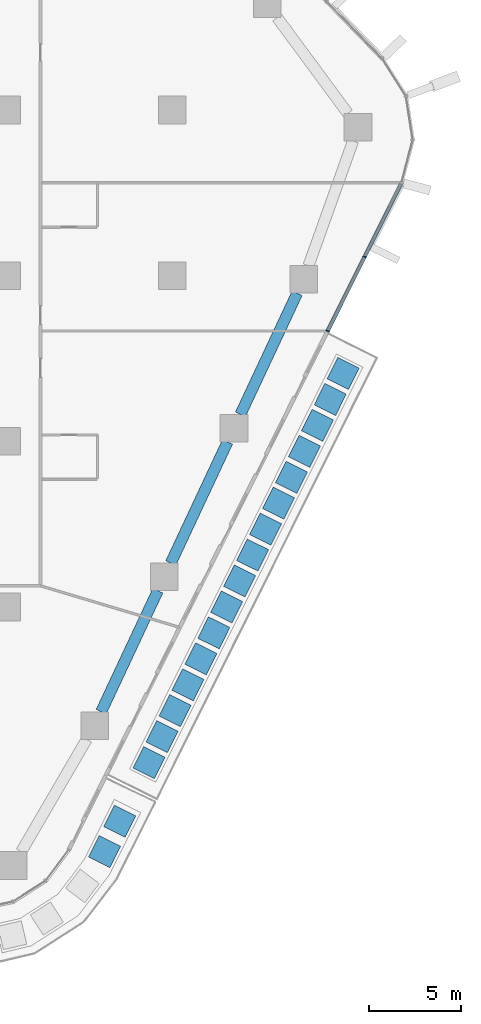
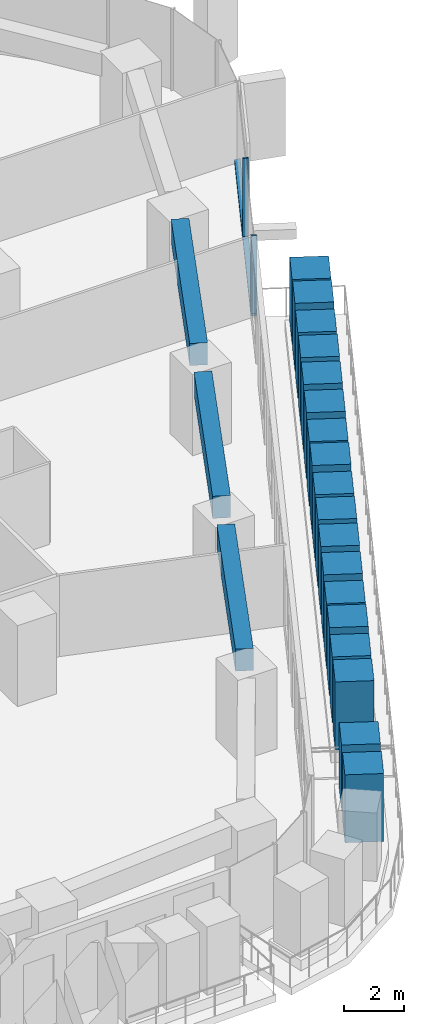
# One storey, part 7 of 26: 21 members, 3 beams, 1 element without a shape of its own.
"""IFC4 building model written with IfcOpenShell, lengths in metres."""

import ifcopenshell
import ifcopenshell.guid

model = None  # the IFC model being written
_history = None  # IfcOwnerHistory: only IFC2X3 demands one
_inside = {}  # id of a spatial element -> (the spatial element, [elements in it])
_under = {}  # id of a project, library or spatial element -> (it, [spatial elements below it])
_declared = {}  # id of a project -> (the project, [libraries it declares])
_typed = {}  # id of a type object -> (the type object, [elements of that type])
_made_of = {}  # id of a material, layer set ... -> (it, [elements and type objects made of it])


def new_model(schema):
    """Start an empty IFC model of exactly this schema.

    Asked for "IFC4X3", IfcOpenShell would pick the latest addendum, in which some entities
    have other attributes; the version numbers below select the first issue.
    IFC2X3 requires an IfcOwnerHistory on every rooted entity: one is made here for all.
    """
    global model, _history
    if schema == "IFC4X3":
        model = ifcopenshell.file(schema_version=(4, 3, 0, 0))
    else:
        model = ifcopenshell.file(schema=schema)
    _inside.clear()
    _under.clear()
    _declared.clear()
    _typed.clear()
    _made_of.clear()
    _history = None
    if model.schema == "IFC2X3":
        org = make("IfcOrganization", Name="unknown")
        user = make(
            "IfcPersonAndOrganization",
            ThePerson=make("IfcPerson", FamilyName="unknown"),
            TheOrganization=org,
        )
        app = make(
            "IfcApplication",
            ApplicationDeveloper=org,
            Version="unknown",
            ApplicationFullName="unknown",
            ApplicationIdentifier="unknown",
        )
        _history = make(
            "IfcOwnerHistory",
            OwningUser=user,
            OwningApplication=app,
            ChangeAction="ADDED",
            CreationDate=0,
        )
    return model


def make(cls, **values):
    """One entity of the class cls with the attributes given. An attribute that is None is left unset."""
    return model.create_entity(
        cls, **{name: value for name, value in values.items() if value is not None}
    )


def rooted(cls, **values):
    """An entity with a GlobalId (a new one), such as an element, a storey or a relation."""
    return make(cls, GlobalId=ifcopenshell.guid.new(), OwnerHistory=_history, **values)


def si_unit(unit_type, name, prefix=None):
    """IfcSIUnit, for example si_unit("LENGTHUNIT", "METRE", prefix="MILLI")."""
    return make("IfcSIUnit", UnitType=unit_type, Prefix=prefix, Name=name)


def assignment(units):
    """IfcUnitAssignment: the units of a project."""
    return None if units is None else make("IfcUnitAssignment", Units=units)


def point(xyz):
    """IfcCartesianPoint."""
    return None if xyz is None else make("IfcCartesianPoint", Coordinates=xyz)


def direction(xyz):
    """IfcDirection."""
    return None if xyz is None else make("IfcDirection", DirectionRatios=xyz)


def frame(location, z_axis=None, x_axis=None):
    """IfcAxis2Placement3D, a coordinate frame: its origin and axes. An axis left out is left unset."""
    return make(
        "IfcAxis2Placement3D",
        Location=point(location),
        Axis=direction(z_axis),
        RefDirection=direction(x_axis),
    )


def frame_2d(location, x_axis=None):
    """IfcAxis2Placement2D, a coordinate frame in the plane: its origin and x axis."""
    return make(
        "IfcAxis2Placement2D", Location=point(location), RefDirection=direction(x_axis)
    )


def origin():
    """The frame at (0, 0, 0) with its axes left unset."""
    return frame((0.0, 0.0, 0.0))


def origin_2d():
    """The frame at (0, 0) in the plane with its x axis left unset."""
    return frame_2d((0.0, 0.0))


def place(relative_to, where):
    """IfcLocalPlacement: puts the frame where relative to a parent placement (None: the world)."""
    return make(
        "IfcLocalPlacement", PlacementRelTo=relative_to, RelativePlacement=where
    )


def context(
    kind, dimensions, precision=None, world=None, true_north=None, identifier=None
):
    """IfcGeometricRepresentationContext, for example the 3D "Model" context."""
    return make(
        "IfcGeometricRepresentationContext",
        ContextIdentifier=identifier,
        ContextType=kind,
        CoordinateSpaceDimension=dimensions,
        Precision=precision,
        WorldCoordinateSystem=world,
        TrueNorth=true_north,
    )


def subcontext(parent, identifier, kind, view, scale=None):
    """IfcGeometricRepresentationSubContext, for example "Body" below "Model"."""
    return make(
        "IfcGeometricRepresentationSubContext",
        ContextIdentifier=identifier,
        ContextType=kind,
        ParentContext=parent,
        TargetScale=scale,
        TargetView=view,
    )


def project(units=None, contexts=None):
    """IfcProject with its units and contexts."""
    return rooted(
        "IfcProject",
        Name="project",
        RepresentationContexts=contexts,
        UnitsInContext=assignment(units),
    )


def spatial(cls, under=None, at=None, **own):
    """A site, building, storey or space (cls), placed at a placement, below another one or the project."""
    s = rooted(cls, ObjectPlacement=at, **own)
    if under is not None:
        _under.setdefault(under.id(), (under, []))[1].append(s)
    return s


def profile(cls, at=None, kind="AREA", **sizes):
    """A parametric profile (cls). Its sizes go by their IFC names, for example OverallWidth=200.0."""
    return make(cls, ProfileType=kind, Position=at, **sizes)


def rectangle(**sizes):
    """IfcRectangleProfileDef."""
    return profile("IfcRectangleProfileDef", **sizes)


def extrude(swept, where, along, depth):
    """IfcExtrudedAreaSolid: the profile swept, set in the frame where, extruded along a direction by depth."""
    return make(
        "IfcExtrudedAreaSolid",
        SweptArea=swept,
        Position=where,
        ExtrudedDirection=direction(along),
        Depth=depth,
    )


def shape(context_of_items, identifier, shape_type, items):
    """IfcShapeRepresentation: the items that make up one representation, for example the "Body"."""
    return make(
        "IfcShapeRepresentation",
        ContextOfItems=context_of_items,
        RepresentationIdentifier=identifier,
        RepresentationType=shape_type,
        Items=items,
    )


def material(Name=None, Category=None):
    """IfcMaterial."""
    return make("IfcMaterial", Name=Name, Category=Category)


def layer(
    of_material, thickness, ventilated=None, Name=None, Category=None, Priority=None
):
    """IfcMaterialLayer: one layer of a wall or slab, of a material (None: an air gap)."""
    return make(
        "IfcMaterialLayer",
        Material=of_material,
        LayerThickness=thickness,
        IsVentilated=ventilated,
        Name=Name,
        Category=Category,
        Priority=Priority,
    )


def layer_set(layers, Name=None):
    """IfcMaterialLayerSet."""
    return make("IfcMaterialLayerSet", MaterialLayers=layers, LayerSetName=Name)


def material_profile(
    of_material, cross_section, Name=None, Category=None, Priority=None
):
    """IfcMaterialProfile: a cross section and its material."""
    return make(
        "IfcMaterialProfile",
        Name=Name,
        Material=of_material,
        Profile=cross_section,
        Priority=Priority,
        Category=Category,
    )


def profile_set(profiles, Name=None, composite=None):
    """IfcMaterialProfileSet."""
    return make(
        "IfcMaterialProfileSet",
        Name=Name,
        MaterialProfiles=profiles,
        CompositeProfile=composite,
    )


def made_of(thing, what):
    """Note that an element or type object is made of a material, layer set ...; save() writes the relation."""
    if what is not None:
        _made_of.setdefault(what.id(), (what, []))[1].append(thing)
    return thing


def type_object(cls, material=None, **own):
    """A type object (cls), such as IfcWallType, which elements share."""
    return made_of(rooted(cls, **own), material)


def element(
    cls,
    number,
    at=None,
    inside=None,
    cuts=None,
    type_object=None,
    material=None,
    context=None,
    identifier="Body",
    shape_type=None,
    held_by="IfcProductDefinitionShape",
    body=None,
    shapes=None,
    **own,
):
    """One element of the class cls, such as IfcWall. Its Tag is "e" and its number.

    at: its placement. inside: the storey or other place that contains it. cuts: it is an
    opening in that element (IfcRelVoidsElement). A single representation is given by context,
    identifier, shape_type and body (its items); several are given by shapes. held_by: the class
    of the entity that holds the representations. save() writes the other relations.
    """
    e = rooted(cls, Tag="e%d" % number, ObjectPlacement=at, **own)
    if body is not None:
        shapes = [shape(context, identifier, shape_type, body)]
    if shapes is not None:
        e.Representation = make(held_by, Representations=shapes)
    if inside is not None:
        _inside.setdefault(inside.id(), (inside, []))[1].append(e)
    if cuts is not None:
        rooted(
            "IfcRelVoidsElement", RelatingBuildingElement=cuts, RelatedOpeningElement=e
        )
    if type_object is not None:
        _typed.setdefault(type_object.id(), (type_object, []))[1].append(e)
    return made_of(e, material)


def aggregate(whole, parts):
    """IfcRelAggregates: a whole, such as a stair, and the parts it consists of."""
    return rooted("IfcRelAggregates", RelatingObject=whole, RelatedObjects=parts)


def save(model, path):
    """Write the relations noted so far, then the file.

    IfcRelAggregates (storeys below a building ...), IfcRelContainedInSpatialStructure (elements
    in a storey), IfcRelDefinesByType, IfcRelAssociatesMaterial and IfcRelDeclares: one each for
    every whole, place, type object, material and project.
    """
    for whole, parts in _under.values():
        aggregate(whole, parts)
    for where, things in _inside.values():
        rooted(
            "IfcRelContainedInSpatialStructure",
            RelatedElements=things,
            RelatingStructure=where,
        )
    for kind, things in _typed.values():
        rooted("IfcRelDefinesByType", RelatedObjects=things, RelatingType=kind)
    for what, things in _made_of.values():
        rooted("IfcRelAssociatesMaterial", RelatedObjects=things, RelatingMaterial=what)
    for by, libraries in _declared.values():
        rooted("IfcRelDeclares", RelatingContext=by, RelatedDefinitions=libraries)
    model.write(path)


model = new_model("IFC4")

# Units and contexts
model_context = context("Model", 3, precision=1e-05, world=origin(), true_north=direction((0.0, 1.0)))
body_context = subcontext(model_context, "Body", "Model", "MODEL_VIEW")
ifc_project = project(units=[si_unit("LENGTHUNIT", "METRE"), si_unit("AREAUNIT", "SQUARE_METRE"), si_unit("VOLUMEUNIT", "CUBIC_METRE"), si_unit("PLANEANGLEUNIT", "RADIAN"), si_unit("MASSUNIT", "GRAM", prefix="KILO")], contexts=[model_context])

# Site, building, storey
site_placement = place(None, origin())
site = spatial("IfcSite", under=ifc_project, at=site_placement, CompositionType="ELEMENT")
building_placement = place(site_placement, origin())
building = spatial("IfcBuilding", under=site, at=building_placement, Name="Dongbaek Canopy Tower", CompositionType="ELEMENT")
storey_placement = place(building_placement, frame((0.0, 0.0, 66.199951171875)))
storey = spatial("IfcBuildingStorey", under=building, at=storey_placement, Name="L12", CompositionType="ELEMENT", Elevation=66.199951171875)

# Curtain wall, members
ifc_material_1 = material(Name="Aluminium 6063-T6 pale anodised", Category="aluminium")
ifc_layer = layer(ifc_material_1, 0.199951171875)
ifc_layer_set = layer_set([ifc_layer], Name="CW-1 unitised tower curtain wall")
curtain_wall_type = type_object("IfcCurtainWallType", Name="CW-1 unitised tower curtain wall", PredefinedType="NOTDEFINED", material=ifc_layer_set)
curtain_wall_placement = place(storey_placement, origin())
curtain_wall = element("IfcCurtainWall", 1, at=curtain_wall_placement, inside=storey, type_object=curtain_wall_type, Name="CW-1 curtain wall F5.1", PredefinedType="NOTDEFINED")
ifc_material_2 = material(Name="Aluminium 6063-T6 pale anodised", Category="aluminium")
ifc_material_profile_1 = material_profile(ifc_material_2, rectangle(XDim=0.199951171875, YDim=0.06005859375, at=origin_2d()), Name="CW-1 mullion 60 x 200")
ifc_profile_set_1 = profile_set([ifc_material_profile_1], Name="Aluminium 6063-T6 pale anodised")
member_type_1 = type_object("IfcMemberType", Name="CW-1 mullion 60 x 200", PredefinedType="MULLION", material=ifc_profile_set_1)
member_1_placement = place(storey_placement, frame((35.447509765625, -3.005126953125, 0.1201171875), z_axis=(0.0, 0.0, 1.0), x_axis=(0.894823312268, -0.446420474241, 0.0)))
member_1 = element("IfcMember", 2, at=member_1_placement, type_object=member_type_1, Name="CW-1 mullion F5.1.1", PredefinedType="MULLION", context=body_context, shape_type="SweptSolid", body=[
    extrude(rectangle(XDim=0.199951171875, YDim=0.06005859375, at=origin_2d()), origin(), (0.0, 0.0, 1.0), 3.179931640625),
])
member_2_placement = place(storey_placement, frame((37.456298828125, 1.021484375, 0.1201171875), z_axis=(0.0, 0.0, 1.0), x_axis=(0.894823312268, -0.446420474241, 0.0)))
member_2 = element("IfcMember", 3, at=member_2_placement, type_object=member_type_1, Name="CW-1 mullion F5.1.2", PredefinedType="MULLION", context=body_context, shape_type="SweptSolid", body=[
    extrude(rectangle(XDim=0.199951171875, YDim=0.06005859375, at=origin_2d()), origin(), (0.0, 0.0, 1.0), 3.179931640625),
])
ifc_material_3 = material(Name="Aluminium 6063-T6 pale anodised", Category="aluminium")
ifc_material_profile_2 = material_profile(ifc_material_3, rectangle(XDim=0.199951171875, YDim=0.1201171875, at=origin_2d()), Name="CW-1 transom 120 x 200")
ifc_profile_set_2 = profile_set([ifc_material_profile_2], Name="Aluminium 6063-T6 pale anodised")
member_type_2 = type_object("IfcMemberType", Name="CW-1 transom 120 x 200", PredefinedType="USERDEFINED", material=ifc_profile_set_2)
member_3_placement = place(storey_placement, frame((35.447509765625, -3.005126953125, 0.06005859375), z_axis=(0.446420411089, 0.894823343774, 0.0), x_axis=(-0.894823343774, 0.446420411089, 0.0)))
member_3 = element("IfcMember", 4, at=member_3_placement, type_object=member_type_2, Name="CW-1 transom F5.1.1", ObjectType="TRANSOM", PredefinedType="USERDEFINED", context=body_context, shape_type="SweptSolid", body=[
    extrude(rectangle(XDim=0.199951171875, YDim=0.1201171875, at=origin_2d()), origin(), (0.0, 0.0, 1.0), 8.98974609375),
])
aggregate(curtain_wall, [member_1, member_2, member_3])

# Beams
ifc_material_4 = material(Name="Concrete C80", Category="concrete")
ifc_material_profile_3 = material_profile(ifc_material_4, rectangle(XDim=0.60009765625, YDim=0.89990234375, at=origin_2d()), Name="RC EDGE BEAM 600x900 C80")
ifc_profile_set_3 = profile_set([ifc_material_profile_3], Name="Concrete C80")
beam_type = type_object("IfcBeamType", Name="RC EDGE BEAM 600x900 C80", PredefinedType="BEAM", material=ifc_profile_set_3)
beam_1_placement = place(storey_placement, frame((33.791748046875, -0.955078125, 2.85009765625), z_axis=(-0.424064450026, -0.905632012588, 0.0), x_axis=(0.905632012588, -0.424064450026, 0.0)))
element("IfcBeam", 5, at=beam_1_placement, inside=storey, type_object=beam_type, Name="EDGEBEAM:L12:22", PredefinedType="BEAM", context=body_context, shape_type="SweptSolid", body=[
    extrude(rectangle(XDim=0.60009765625, YDim=0.89990234375, at=origin_2d()), origin(), (0.0, 0.0, 1.0), 7.264404296875),
])
beam_2_placement = place(storey_placement, frame((30.0087890625, -9.033935546875, 2.85009765625), z_axis=(-0.424110161641, -0.905610606604, 0.0), x_axis=(0.905610606604, -0.424110161641, 0.0)))
element("IfcBeam", 6, at=beam_2_placement, inside=storey, type_object=beam_type, Name="EDGEBEAM:L12:23", PredefinedType="BEAM", context=body_context, shape_type="SweptSolid", body=[
    extrude(rectangle(XDim=0.60009765625, YDim=0.89990234375, at=origin_2d()), origin(), (0.0, 0.0, 1.0), 7.265869140625),
])
beam_3_placement = place(storey_placement, frame((26.224609375, -17.114013671875, 2.85009765625), z_axis=(-0.42413422917, -0.905599335052, 0.0), x_axis=(0.905599335052, -0.42413422917, 0.0)))
element("IfcBeam", 7, at=beam_3_placement, inside=storey, type_object=beam_type, Name="EDGEBEAM:L12:24", PredefinedType="BEAM", context=body_context, shape_type="SweptSolid", body=[
    extrude(rectangle(XDim=0.60009765625, YDim=0.89990234375, at=origin_2d()), origin(), (0.0, 0.0, 1.0), 7.264892578125),
])

# Members
ifc_material_5 = material(Name="Concrete C40/50 planter mass with planting", Category="concrete")
ifc_material_profile_4 = material_profile(ifc_material_5, rectangle(XDim=1.300048828125, YDim=1.300048828125, at=origin_2d()), Name="Terrace PLANTER shrub mass 1300 x 1300")
ifc_profile_set_4 = profile_set([ifc_material_profile_4], Name="Concrete C40/50 planter mass with planting")
member_type_3 = type_object("IfcMemberType", Name="Terrace PLANTER shrub mass 1300 x 1300", PredefinedType="USERDEFINED", material=ifc_profile_set_4)
member_4_placement = place(storey_placement, frame((25.749267578125, -26.4541015625, 0.420166015625), z_axis=(0.0, 0.0, 1.0), x_axis=(0.894823312268, -0.446420474241, 0.0)))
element("IfcMember", 8, at=member_4_placement, inside=storey, type_object=member_type_3, Name="Planter shrubs L12 5.1", ObjectType="PLANTER", PredefinedType="USERDEFINED", context=body_context, shape_type="SweptSolid", body=[
    extrude(rectangle(XDim=1.300048828125, YDim=1.300048828125, at=origin_2d()), origin(), (0.0, 0.0, 1.0), 2.769775390625),
])
member_5_placement = place(storey_placement, frame((26.452392578125, -25.044921875, 0.420166015625), z_axis=(0.0, 0.0, 1.0), x_axis=(0.894823312268, -0.446420474241, 0.0)))
element("IfcMember", 9, at=member_5_placement, inside=storey, type_object=member_type_3, Name="Planter shrubs L12 5.2", ObjectType="PLANTER", PredefinedType="USERDEFINED", context=body_context, shape_type="SweptSolid", body=[
    extrude(rectangle(XDim=1.300048828125, YDim=1.300048828125, at=origin_2d()), origin(), (0.0, 0.0, 1.0), 2.68994140625),
])
member_6_placement = place(storey_placement, frame((27.155517578125, -23.635498046875, 0.420166015625), z_axis=(0.0, 0.0, 1.0), x_axis=(0.894823312268, -0.446420474241, 0.0)))
element("IfcMember", 10, at=member_6_placement, inside=storey, type_object=member_type_3, Name="Planter shrubs L12 5.3", ObjectType="PLANTER", PredefinedType="USERDEFINED", context=body_context, shape_type="SweptSolid", body=[
    extrude(rectangle(XDim=1.300048828125, YDim=1.300048828125, at=origin_2d()), origin(), (0.0, 0.0, 1.0), 2.77978515625),
])
member_7_placement = place(storey_placement, frame((27.858642578125, -22.22607421875, 0.420166015625), z_axis=(0.0, 0.0, 1.0), x_axis=(0.894823312268, -0.446420474241, 0.0)))
element("IfcMember", 11, at=member_7_placement, inside=storey, type_object=member_type_3, Name="Planter shrubs L12 5.4", ObjectType="PLANTER", PredefinedType="USERDEFINED", context=body_context, shape_type="SweptSolid", body=[
    extrude(rectangle(XDim=1.300048828125, YDim=1.300048828125, at=origin_2d()), origin(), (0.0, 0.0, 1.0), 2.64990234375),
])
member_8_placement = place(storey_placement, frame((28.561767578125, -20.81689453125, 0.420166015625), z_axis=(0.0, 0.0, 1.0), x_axis=(0.894823312268, -0.446420474241, 0.0)))
element("IfcMember", 12, at=member_8_placement, inside=storey, type_object=member_type_3, Name="Planter shrubs L12 5.5", ObjectType="PLANTER", PredefinedType="USERDEFINED", context=body_context, shape_type="SweptSolid", body=[
    extrude(rectangle(XDim=1.300048828125, YDim=1.300048828125, at=origin_2d()), origin(), (0.0, 0.0, 1.0), 2.72998046875),
])
member_9_placement = place(storey_placement, frame((29.264892578125, -19.407470703125, 0.420166015625), z_axis=(0.0, 0.0, 1.0), x_axis=(0.894823312268, -0.446420474241, 0.0)))
element("IfcMember", 13, at=member_9_placement, inside=storey, type_object=member_type_3, Name="Planter shrubs L12 5.6", ObjectType="PLANTER", PredefinedType="USERDEFINED", context=body_context, shape_type="SweptSolid", body=[
    extrude(rectangle(XDim=1.300048828125, YDim=1.300048828125, at=origin_2d()), origin(), (0.0, 0.0, 1.0), 2.77978515625),
])
member_10_placement = place(storey_placement, frame((29.968017578125, -17.998291015625, 0.420166015625), z_axis=(0.0, 0.0, 1.0), x_axis=(0.894823312268, -0.446420474241, 0.0)))
element("IfcMember", 14, at=member_10_placement, inside=storey, type_object=member_type_3, Name="Planter shrubs L12 5.7", ObjectType="PLANTER", PredefinedType="USERDEFINED", context=body_context, shape_type="SweptSolid", body=[
    extrude(rectangle(XDim=1.300048828125, YDim=1.300048828125, at=origin_2d()), origin(), (0.0, 0.0, 1.0), 2.769775390625),
])
member_11_placement = place(storey_placement, frame((30.671142578125, -16.5888671875, 0.420166015625), z_axis=(0.0, 0.0, 1.0), x_axis=(0.894823312268, -0.446420474241, 0.0)))
element("IfcMember", 15, at=member_11_placement, inside=storey, type_object=member_type_3, Name="Planter shrubs L12 5.8", ObjectType="PLANTER", PredefinedType="USERDEFINED", context=body_context, shape_type="SweptSolid", body=[
    extrude(rectangle(XDim=1.300048828125, YDim=1.300048828125, at=origin_2d()), origin(), (0.0, 0.0, 1.0), 2.68994140625),
])
member_12_placement = place(storey_placement, frame((31.3740234375, -15.179443359375, 0.420166015625), z_axis=(0.0, 0.0, 1.0), x_axis=(0.894823312268, -0.446420474241, 0.0)))
element("IfcMember", 16, at=member_12_placement, inside=storey, type_object=member_type_3, Name="Planter shrubs L12 5.9", ObjectType="PLANTER", PredefinedType="USERDEFINED", context=body_context, shape_type="SweptSolid", body=[
    extrude(rectangle(XDim=1.300048828125, YDim=1.300048828125, at=origin_2d()), origin(), (0.0, 0.0, 1.0), 2.77978515625),
])
member_13_placement = place(storey_placement, frame((32.0771484375, -13.770263671875, 0.420166015625), z_axis=(0.0, 0.0, 1.0), x_axis=(0.894823312268, -0.446420474241, 0.0)))
element("IfcMember", 17, at=member_13_placement, inside=storey, type_object=member_type_3, Name="Planter shrubs L12 5.10", ObjectType="PLANTER", PredefinedType="USERDEFINED", context=body_context, shape_type="SweptSolid", body=[
    extrude(rectangle(XDim=1.300048828125, YDim=1.300048828125, at=origin_2d()), origin(), (0.0, 0.0, 1.0), 2.64990234375),
])
member_14_placement = place(storey_placement, frame((32.7802734375, -12.36083984375, 0.420166015625), z_axis=(0.0, 0.0, 1.0), x_axis=(0.894823312268, -0.446420474241, 0.0)))
element("IfcMember", 18, at=member_14_placement, inside=storey, type_object=member_type_3, Name="Planter shrubs L12 5.11", ObjectType="PLANTER", PredefinedType="USERDEFINED", context=body_context, shape_type="SweptSolid", body=[
    extrude(rectangle(XDim=1.300048828125, YDim=1.300048828125, at=origin_2d()), origin(), (0.0, 0.0, 1.0), 2.72998046875),
])
member_15_placement = place(storey_placement, frame((33.4833984375, -10.95166015625, 0.420166015625), z_axis=(0.0, 0.0, 1.0), x_axis=(0.894823312268, -0.446420474241, 0.0)))
element("IfcMember", 19, at=member_15_placement, inside=storey, type_object=member_type_3, Name="Planter shrubs L12 5.12", ObjectType="PLANTER", PredefinedType="USERDEFINED", context=body_context, shape_type="SweptSolid", body=[
    extrude(rectangle(XDim=1.300048828125, YDim=1.300048828125, at=origin_2d()), origin(), (0.0, 0.0, 1.0), 2.77978515625),
])
member_16_placement = place(storey_placement, frame((34.1865234375, -9.542236328125, 0.420166015625), z_axis=(0.0, 0.0, 1.0), x_axis=(0.894823312268, -0.446420474241, 0.0)))
element("IfcMember", 20, at=member_16_placement, inside=storey, type_object=member_type_3, Name="Planter shrubs L12 5.13", ObjectType="PLANTER", PredefinedType="USERDEFINED", context=body_context, shape_type="SweptSolid", body=[
    extrude(rectangle(XDim=1.300048828125, YDim=1.300048828125, at=origin_2d()), origin(), (0.0, 0.0, 1.0), 2.769775390625),
])
member_17_placement = place(storey_placement, frame((34.8896484375, -8.1328125, 0.420166015625), z_axis=(0.0, 0.0, 1.0), x_axis=(0.894823312268, -0.446420474241, 0.0)))
element("IfcMember", 21, at=member_17_placement, inside=storey, type_object=member_type_3, Name="Planter shrubs L12 5.14", ObjectType="PLANTER", PredefinedType="USERDEFINED", context=body_context, shape_type="SweptSolid", body=[
    extrude(rectangle(XDim=1.300048828125, YDim=1.300048828125, at=origin_2d()), origin(), (0.0, 0.0, 1.0), 2.68994140625),
])
member_18_placement = place(storey_placement, frame((35.5927734375, -6.7236328125, 0.420166015625), z_axis=(0.0, 0.0, 1.0), x_axis=(0.894823312268, -0.446420474241, 0.0)))
element("IfcMember", 22, at=member_18_placement, inside=storey, type_object=member_type_3, Name="Planter shrubs L12 5.15", ObjectType="PLANTER", PredefinedType="USERDEFINED", context=body_context, shape_type="SweptSolid", body=[
    extrude(rectangle(XDim=1.300048828125, YDim=1.300048828125, at=origin_2d()), origin(), (0.0, 0.0, 1.0), 2.77978515625),
])
member_19_placement = place(storey_placement, frame((36.2958984375, -5.314208984375, 0.420166015625), z_axis=(0.0, 0.0, 1.0), x_axis=(0.894823312268, -0.446420474241, 0.0)))
element("IfcMember", 23, at=member_19_placement, inside=storey, type_object=member_type_3, Name="Planter shrubs L12 5.16", ObjectType="PLANTER", PredefinedType="USERDEFINED", context=body_context, shape_type="SweptSolid", body=[
    extrude(rectangle(XDim=1.300048828125, YDim=1.300048828125, at=origin_2d()), origin(), (0.0, 0.0, 1.0), 2.64990234375),
])
member_20_placement = place(storey_placement, frame((23.328125, -31.2958984375, 0.420166015625), z_axis=(0.0, 0.0, 1.0), x_axis=(0.894005773786, -0.448055439021, 0.0)))
element("IfcMember", 24, at=member_20_placement, inside=storey, type_object=member_type_3, Name="Planter shrubs L12 8.4", ObjectType="PLANTER", PredefinedType="USERDEFINED", context=body_context, shape_type="SweptSolid", body=[
    extrude(rectangle(XDim=1.300048828125, YDim=1.300048828125, at=origin_2d()), origin(), (0.0, 0.0, 1.0), 2.769775390625),
])
member_21_placement = place(storey_placement, frame((24.1572265625, -29.641357421875, 0.420166015625), z_axis=(0.0, 0.0, 1.0), x_axis=(0.894005773786, -0.448055439021, 0.0)))
element("IfcMember", 25, at=member_21_placement, inside=storey, type_object=member_type_3, Name="Planter shrubs L12 8.5", ObjectType="PLANTER", PredefinedType="USERDEFINED", context=body_context, shape_type="SweptSolid", body=[
    extrude(rectangle(XDim=1.300048828125, YDim=1.300048828125, at=origin_2d()), origin(), (0.0, 0.0, 1.0), 2.68994140625),
])

save(model, "model.ifc")
